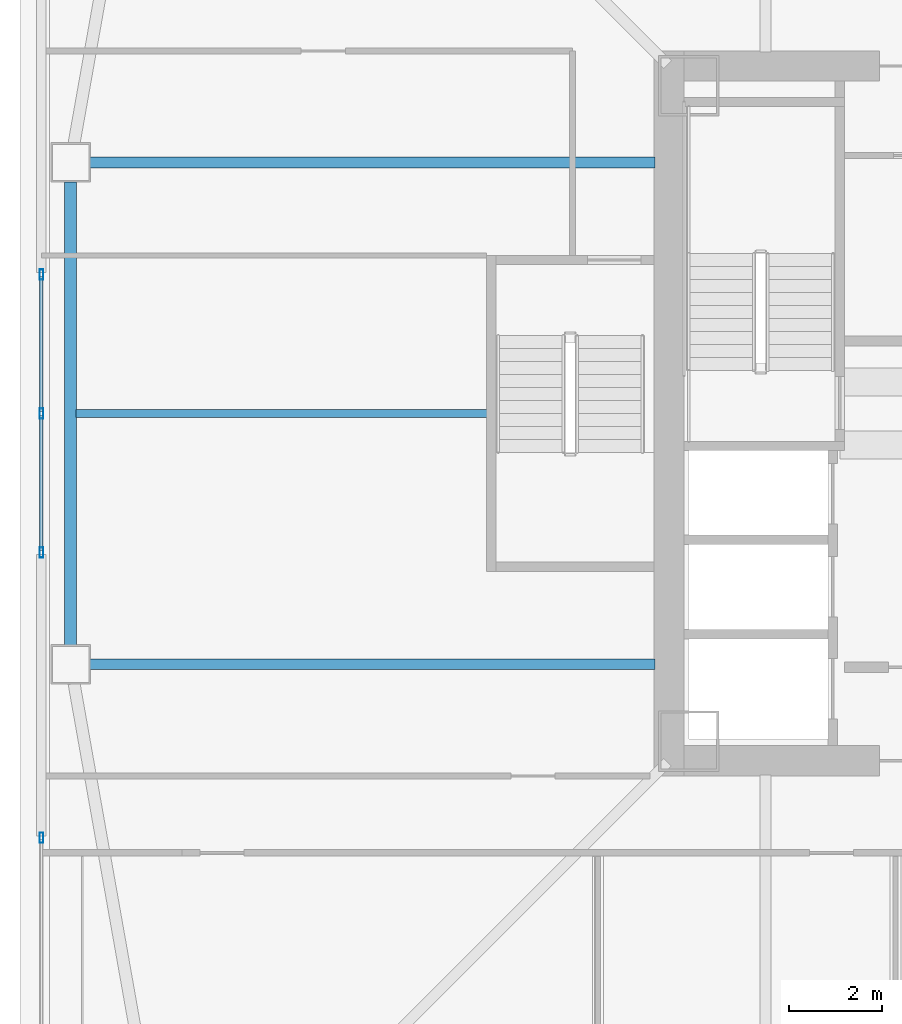
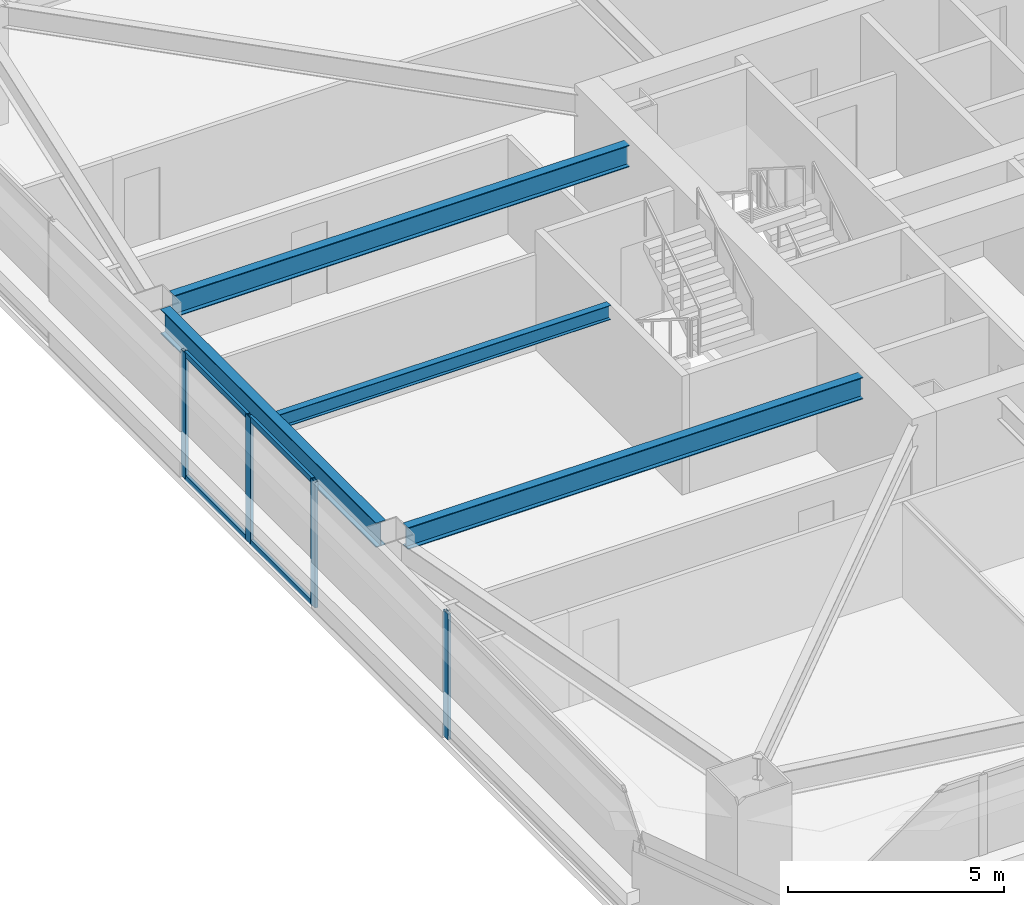
# One storey, part 6 of 44: 8 members, 4 beams, 2 elements without a shape of their own.
"""IFC4 building model written with IfcOpenShell, lengths in metres."""

import ifcopenshell
import ifcopenshell.guid

model = None  # the IFC model being written
_history = None  # IfcOwnerHistory: only IFC2X3 demands one
_inside = {}  # id of a spatial element -> (the spatial element, [elements in it])
_under = {}  # id of a project, library or spatial element -> (it, [spatial elements below it])
_declared = {}  # id of a project -> (the project, [libraries it declares])
_typed = {}  # id of a type object -> (the type object, [elements of that type])
_made_of = {}  # id of a material, layer set ... -> (it, [elements and type objects made of it])


def new_model(schema):
    """Start an empty IFC model of exactly this schema.

    Asked for "IFC4X3", IfcOpenShell would pick the latest addendum, in which some entities
    have other attributes; the version numbers below select the first issue.
    IFC2X3 requires an IfcOwnerHistory on every rooted entity: one is made here for all.
    """
    global model, _history
    if schema == "IFC4X3":
        model = ifcopenshell.file(schema_version=(4, 3, 0, 0))
    else:
        model = ifcopenshell.file(schema=schema)
    _inside.clear()
    _under.clear()
    _declared.clear()
    _typed.clear()
    _made_of.clear()
    _history = None
    if model.schema == "IFC2X3":
        org = make("IfcOrganization", Name="unknown")
        user = make(
            "IfcPersonAndOrganization",
            ThePerson=make("IfcPerson", FamilyName="unknown"),
            TheOrganization=org,
        )
        app = make(
            "IfcApplication",
            ApplicationDeveloper=org,
            Version="unknown",
            ApplicationFullName="unknown",
            ApplicationIdentifier="unknown",
        )
        _history = make(
            "IfcOwnerHistory",
            OwningUser=user,
            OwningApplication=app,
            ChangeAction="ADDED",
            CreationDate=0,
        )
    return model


def make(cls, **values):
    """One entity of the class cls with the attributes given. An attribute that is None is left unset."""
    return model.create_entity(
        cls, **{name: value for name, value in values.items() if value is not None}
    )


def rooted(cls, **values):
    """An entity with a GlobalId (a new one), such as an element, a storey or a relation."""
    return make(cls, GlobalId=ifcopenshell.guid.new(), OwnerHistory=_history, **values)


def si_unit(unit_type, name, prefix=None):
    """IfcSIUnit, for example si_unit("LENGTHUNIT", "METRE", prefix="MILLI")."""
    return make("IfcSIUnit", UnitType=unit_type, Prefix=prefix, Name=name)


def assignment(units):
    """IfcUnitAssignment: the units of a project."""
    return None if units is None else make("IfcUnitAssignment", Units=units)


def point(xyz):
    """IfcCartesianPoint."""
    return None if xyz is None else make("IfcCartesianPoint", Coordinates=xyz)


def direction(xyz):
    """IfcDirection."""
    return None if xyz is None else make("IfcDirection", DirectionRatios=xyz)


def frame(location, z_axis=None, x_axis=None):
    """IfcAxis2Placement3D, a coordinate frame: its origin and axes. An axis left out is left unset."""
    return make(
        "IfcAxis2Placement3D",
        Location=point(location),
        Axis=direction(z_axis),
        RefDirection=direction(x_axis),
    )


def frame_2d(location, x_axis=None):
    """IfcAxis2Placement2D, a coordinate frame in the plane: its origin and x axis."""
    return make(
        "IfcAxis2Placement2D", Location=point(location), RefDirection=direction(x_axis)
    )


def origin():
    """The frame at (0, 0, 0) with its axes left unset."""
    return frame((0.0, 0.0, 0.0))


def origin_2d():
    """The frame at (0, 0) in the plane with its x axis left unset."""
    return frame_2d((0.0, 0.0))


def place(relative_to, where):
    """IfcLocalPlacement: puts the frame where relative to a parent placement (None: the world)."""
    return make(
        "IfcLocalPlacement", PlacementRelTo=relative_to, RelativePlacement=where
    )


def context(
    kind, dimensions, precision=None, world=None, true_north=None, identifier=None
):
    """IfcGeometricRepresentationContext, for example the 3D "Model" context."""
    return make(
        "IfcGeometricRepresentationContext",
        ContextIdentifier=identifier,
        ContextType=kind,
        CoordinateSpaceDimension=dimensions,
        Precision=precision,
        WorldCoordinateSystem=world,
        TrueNorth=true_north,
    )


def subcontext(parent, identifier, kind, view, scale=None):
    """IfcGeometricRepresentationSubContext, for example "Body" below "Model"."""
    return make(
        "IfcGeometricRepresentationSubContext",
        ContextIdentifier=identifier,
        ContextType=kind,
        ParentContext=parent,
        TargetScale=scale,
        TargetView=view,
    )


def project(units=None, contexts=None):
    """IfcProject with its units and contexts."""
    return rooted(
        "IfcProject",
        Name="project",
        RepresentationContexts=contexts,
        UnitsInContext=assignment(units),
    )


def spatial(cls, under=None, at=None, **own):
    """A site, building, storey or space (cls), placed at a placement, below another one or the project."""
    s = rooted(cls, ObjectPlacement=at, **own)
    if under is not None:
        _under.setdefault(under.id(), (under, []))[1].append(s)
    return s


def profile(cls, at=None, kind="AREA", **sizes):
    """A parametric profile (cls). Its sizes go by their IFC names, for example OverallWidth=200.0."""
    return make(cls, ProfileType=kind, Position=at, **sizes)


def hollow_rectangle(**sizes):
    """IfcRectangleHollowProfileDef."""
    return profile("IfcRectangleHollowProfileDef", **sizes)


def i_section(**sizes):
    """IfcIShapeProfileDef."""
    return profile("IfcIShapeProfileDef", **sizes)


def extrude(swept, where, along, depth):
    """IfcExtrudedAreaSolid: the profile swept, set in the frame where, extruded along a direction by depth."""
    return make(
        "IfcExtrudedAreaSolid",
        SweptArea=swept,
        Position=where,
        ExtrudedDirection=direction(along),
        Depth=depth,
    )


def shape(context_of_items, identifier, shape_type, items):
    """IfcShapeRepresentation: the items that make up one representation, for example the "Body"."""
    return make(
        "IfcShapeRepresentation",
        ContextOfItems=context_of_items,
        RepresentationIdentifier=identifier,
        RepresentationType=shape_type,
        Items=items,
    )


def material(Name=None, Category=None):
    """IfcMaterial."""
    return make("IfcMaterial", Name=Name, Category=Category)


def material_profile(
    of_material, cross_section, Name=None, Category=None, Priority=None
):
    """IfcMaterialProfile: a cross section and its material."""
    return make(
        "IfcMaterialProfile",
        Name=Name,
        Material=of_material,
        Profile=cross_section,
        Priority=Priority,
        Category=Category,
    )


def profile_set(profiles, Name=None, composite=None):
    """IfcMaterialProfileSet."""
    return make(
        "IfcMaterialProfileSet",
        Name=Name,
        MaterialProfiles=profiles,
        CompositeProfile=composite,
    )


def made_of(thing, what):
    """Note that an element or type object is made of a material, layer set ...; save() writes the relation."""
    if what is not None:
        _made_of.setdefault(what.id(), (what, []))[1].append(thing)
    return thing


def type_object(cls, material=None, **own):
    """A type object (cls), such as IfcWallType, which elements share."""
    return made_of(rooted(cls, **own), material)


def element(
    cls,
    number,
    at=None,
    inside=None,
    cuts=None,
    type_object=None,
    material=None,
    context=None,
    identifier="Body",
    shape_type=None,
    held_by="IfcProductDefinitionShape",
    body=None,
    shapes=None,
    **own,
):
    """One element of the class cls, such as IfcWall. Its Tag is "e" and its number.

    at: its placement. inside: the storey or other place that contains it. cuts: it is an
    opening in that element (IfcRelVoidsElement). A single representation is given by context,
    identifier, shape_type and body (its items); several are given by shapes. held_by: the class
    of the entity that holds the representations. save() writes the other relations.
    """
    e = rooted(cls, Tag="e%d" % number, ObjectPlacement=at, **own)
    if body is not None:
        shapes = [shape(context, identifier, shape_type, body)]
    if shapes is not None:
        e.Representation = make(held_by, Representations=shapes)
    if inside is not None:
        _inside.setdefault(inside.id(), (inside, []))[1].append(e)
    if cuts is not None:
        rooted(
            "IfcRelVoidsElement", RelatingBuildingElement=cuts, RelatedOpeningElement=e
        )
    if type_object is not None:
        _typed.setdefault(type_object.id(), (type_object, []))[1].append(e)
    return made_of(e, material)


def aggregate(whole, parts):
    """IfcRelAggregates: a whole, such as a stair, and the parts it consists of."""
    return rooted("IfcRelAggregates", RelatingObject=whole, RelatedObjects=parts)


def save(model, path):
    """Write the relations noted so far, then the file.

    IfcRelAggregates (storeys below a building ...), IfcRelContainedInSpatialStructure (elements
    in a storey), IfcRelDefinesByType, IfcRelAssociatesMaterial and IfcRelDeclares: one each for
    every whole, place, type object, material and project.
    """
    for whole, parts in _under.values():
        aggregate(whole, parts)
    for where, things in _inside.values():
        rooted(
            "IfcRelContainedInSpatialStructure",
            RelatedElements=things,
            RelatingStructure=where,
        )
    for kind, things in _typed.values():
        rooted("IfcRelDefinesByType", RelatedObjects=things, RelatingType=kind)
    for what, things in _made_of.values():
        rooted("IfcRelAssociatesMaterial", RelatedObjects=things, RelatingMaterial=what)
    for by, libraries in _declared.values():
        rooted("IfcRelDeclares", RelatingContext=by, RelatedDefinitions=libraries)
    model.write(path)


model = new_model("IFC4")

# Units and contexts
model_context = context("Model", 3, precision=1e-05, world=origin(), true_north=direction((0.0, 1.0)))
body_context = subcontext(model_context, "Body", "Model", "MODEL_VIEW")
ifc_project = project(units=[si_unit("LENGTHUNIT", "METRE"), si_unit("AREAUNIT", "SQUARE_METRE"), si_unit("VOLUMEUNIT", "CUBIC_METRE"), si_unit("PLANEANGLEUNIT", "RADIAN"), si_unit("MASSUNIT", "GRAM", prefix="KILO")], contexts=[model_context])

# Site, building, storey
site_placement = place(None, origin())
site = spatial("IfcSite", under=ifc_project, at=site_placement, CompositionType="ELEMENT")
building_placement = place(site_placement, origin())
building = spatial("IfcBuilding", under=site, at=building_placement, Name="Tashvorn Skyway Center", CompositionType="ELEMENT")
storey_placement = place(building_placement, frame((0.0, 0.0, 92.050048828125)))
storey = spatial("IfcBuildingStorey", under=building, at=storey_placement, Name="L24", CompositionType="ELEMENT", Elevation=92.050048828125)

# Beams
ifc_material_1 = material(Name="Steel ASTM A992 Grade 50", Category="steel")
ifc_material_profile_1 = material_profile(ifc_material_1, i_section(OverallWidth=0.22998046875, OverallDepth=0.616943359375, WebThickness=0.01318359375, FlangeThickness=0.022216796875, at=origin_2d()), Name="W24X94")
ifc_profile_set_1 = profile_set([ifc_material_profile_1], Name="Steel ASTM A992 Grade 50")
beam_type_1 = type_object("IfcBeamType", Name="BM-BEAM-W24X94", PredefinedType="BEAM", material=ifc_profile_set_1)
for number, where, z_axis, x_axis, name in (
    (1, (22.070068359375, 37.39990234375, 3.04150390625), (1.0, 0.0, 0.0), (0.0, 1.0, 0.0), "Tower 1 L24 Primary Floor Girder FC-W1"),
    (2, (22.070068359375, 26.60009765625, 3.04150390625), (1.0, 0.0, 0.0), (0.0, 1.0, 0.0), "Tower 1 L24 Primary Floor Girder FC-W2"),
):
    element("IfcBeam", number, at=place(storey_placement, frame(where, z_axis=z_axis, x_axis=x_axis)), inside=storey, type_object=beam_type_1, Name=name, PredefinedType="BEAM", context=body_context, shape_type="SweptSolid", body=[
        extrude(i_section(OverallWidth=0.22998046875, OverallDepth=0.616943359375, WebThickness=0.01318359375, FlangeThickness=0.022216796875, at=origin_2d()), origin(), (0.0, 0.0, 1.0), 12.14990234375),
    ])
ifc_material_profile_2 = material_profile(ifc_material_1, i_section(OverallWidth=0.177978515625, OverallDepth=0.406005859375, WebThickness=0.0078125, FlangeThickness=0.0126953125, at=origin_2d()), Name="W16X40")
ifc_profile_set_2 = profile_set([ifc_material_profile_2], Name="Steel ASTM A992 Grade 50")
beam_type_2 = type_object("IfcBeamType", Name="BM-JOIST-W16X40", PredefinedType="JOIST", material=ifc_profile_set_2)
beam_1_placement = place(storey_placement, frame((30.610107421875, 32.0, 3.14697265625), z_axis=(-1.0, 0.0, 0.0), x_axis=(0.0, -1.0, 0.0)))
element("IfcBeam", 3, at=beam_1_placement, inside=storey, type_object=beam_type_2, Name="Tower 1 L24 Secondary Composite Joist JW", PredefinedType="JOIST", context=body_context, shape_type="SweptSolid", body=[
    extrude(i_section(OverallWidth=0.177978515625, OverallDepth=0.406005859375, WebThickness=0.0078125, FlangeThickness=0.0126953125, at=origin_2d()), origin(), (0.0, 0.0, 1.0), 8.840087890625),
])
ifc_material_profile_3 = material_profile(ifc_material_1, i_section(OverallWidth=0.256103515625, OverallDepth=0.693115234375, WebThickness=0.014404296875, FlangeThickness=0.023681640625, at=origin_2d()), Name="W27X114")
ifc_profile_set_3 = profile_set([ifc_material_profile_3], Name="Steel ASTM A992 Grade 50")
beam_type_3 = type_object("IfcBeamType", Name="BM-SPANDREL-W27X114", PredefinedType="SPANDREL", material=ifc_profile_set_3)
beam_2_placement = place(storey_placement, frame((21.64990234375, 36.97998046875, 3.00341796875), z_axis=(0.0, -1.0, 0.0), x_axis=(1.0, 0.0, 0.0)))
element("IfcBeam", 4, at=beam_2_placement, inside=storey, type_object=beam_type_3, Name="Tower 1 L24 Spandrel Beam 11", PredefinedType="SPANDREL", context=body_context, shape_type="SweptSolid", body=[
    extrude(i_section(OverallWidth=0.256103515625, OverallDepth=0.693115234375, WebThickness=0.014404296875, FlangeThickness=0.023681640625, at=origin_2d()), origin(), (0.0, 0.0, 1.0), 9.9599609375),
])

# Curtain wall, member
ifc_material_2 = material(Name="Thermally broken bronze-anodized aluminium 6063-T6", Category="aluminium")
curtain_wall_type = type_object("IfcCurtainWallType", Name="CW-CW-Z2", PredefinedType="NOTDEFINED", material=ifc_material_2)
curtain_wall_1_placement = place(storey_placement, origin())
curtain_wall_1 = element("IfcCurtainWall", 5, at=curtain_wall_1_placement, inside=storey, type_object=curtain_wall_type, Name="Tower 1 L24 West Unitised Curtain Wall Glazing Group 1", PredefinedType="NOTDEFINED")
ifc_material_profile_4 = material_profile(ifc_material_2, hollow_rectangle(XDim=0.080078125, YDim=0.219970703125, WallThickness=0.0048828125, at=origin_2d()), Name="ALU-MULL-80x220")
ifc_profile_set_4 = profile_set([ifc_material_profile_4], Name="Thermally broken bronze-anodized aluminium 6063-T6")
member_type_1 = type_object("IfcMemberType", Name="CWM-CW-Z2", PredefinedType="MULLION", material=ifc_profile_set_4)
member_1_placement = place(storey_placement, frame((21.02001953125, 22.8701171875, 0.0), z_axis=(0.0, 0.0, 1.0), x_axis=(-1.0, 0.0, 0.0)))
member_1 = element("IfcMember", 6, at=member_1_placement, type_object=member_type_1, Name="CW-Z2 mullion 2", PredefinedType="MULLION", context=body_context, shape_type="SweptSolid", body=[
    extrude(hollow_rectangle(XDim=0.080078125, YDim=0.219970703125, WallThickness=0.0048828125, at=origin_2d()), origin(), (0.0, 0.0, 1.0), 3.550048828125),
])
aggregate(curtain_wall_1, [member_1])

# Curtain wall, members
curtain_wall_2_placement = place(storey_placement, origin())
curtain_wall_2 = element("IfcCurtainWall", 7, at=curtain_wall_2_placement, inside=storey, type_object=curtain_wall_type, Name="Tower 1 L24 West Unitised Curtain Wall Glazing Group 2", PredefinedType="NOTDEFINED")
member_2_placement = place(storey_placement, frame((21.02001953125, 29.010009765625, 0.0), z_axis=(0.0, 0.0, 1.0), x_axis=(-1.0, 0.0, 0.0)))
member_2 = element("IfcMember", 8, at=member_2_placement, type_object=member_type_1, Name="CW-Z2 mullion 1", PredefinedType="MULLION", context=body_context, shape_type="SweptSolid", body=[
    extrude(hollow_rectangle(XDim=0.080078125, YDim=0.219970703125, WallThickness=0.0048828125, at=origin_2d()), origin(), (0.0, 0.0, 1.0), 3.550048828125),
])
member_3_placement = place(storey_placement, frame((21.02001953125, 32.0, 0.0), z_axis=(0.0, 0.0, 1.0), x_axis=(-1.0, 0.0, 0.0)))
member_3 = element("IfcMember", 9, at=member_3_placement, type_object=member_type_1, Name="CW-Z2 mullion 2", PredefinedType="MULLION", context=body_context, shape_type="SweptSolid", body=[
    extrude(hollow_rectangle(XDim=0.080078125, YDim=0.219970703125, WallThickness=0.0048828125, at=origin_2d()), origin(), (0.0, 0.0, 1.0), 3.550048828125),
])
member_4_placement = place(storey_placement, frame((21.02001953125, 34.989990234375, 0.0), z_axis=(0.0, 0.0, 1.0), x_axis=(-1.0, 0.0, 0.0)))
member_4 = element("IfcMember", 10, at=member_4_placement, type_object=member_type_1, Name="CW-Z2 mullion 3", PredefinedType="MULLION", context=body_context, shape_type="SweptSolid", body=[
    extrude(hollow_rectangle(XDim=0.080078125, YDim=0.219970703125, WallThickness=0.0048828125, at=origin_2d()), origin(), (0.0, 0.0, 1.0), 3.550048828125),
])
ifc_material_profile_5 = material_profile(ifc_material_2, hollow_rectangle(XDim=0.080078125, YDim=0.14990234375, WallThickness=0.00439453125, at=origin_2d()), Name="ALU-TRAN-80x150")
ifc_profile_set_5 = profile_set([ifc_material_profile_5], Name="Thermally broken bronze-anodized aluminium 6063-T6")
member_type_2 = type_object("IfcMemberType", Name="CWT-CW-Z2", PredefinedType="USERDEFINED", material=ifc_profile_set_5)
member_5_placement = place(storey_placement, frame((21.02001953125, 29.050048828125, 0.0400390625), z_axis=(0.0, 1.0, 0.0), x_axis=(-1.0, 0.0, 0.0)))
member_5 = element("IfcMember", 11, at=member_5_placement, type_object=member_type_2, Name="CW-Z2 transom 1.1", ObjectType="TRANSOM", PredefinedType="USERDEFINED", context=body_context, shape_type="SweptSolid", body=[
    extrude(hollow_rectangle(XDim=0.080078125, YDim=0.14990234375, WallThickness=0.00439453125, at=origin_2d()), origin(), (0.0, 0.0, 1.0), 2.909912109375),
])
member_6_placement = place(storey_placement, frame((21.02001953125, 29.050048828125, 3.510009765625), z_axis=(0.0, 1.0, 0.0), x_axis=(-1.0, 0.0, 0.0)))
member_6 = element("IfcMember", 12, at=member_6_placement, type_object=member_type_2, Name="CW-Z2 transom 1.2", ObjectType="TRANSOM", PredefinedType="USERDEFINED", context=body_context, shape_type="SweptSolid", body=[
    extrude(hollow_rectangle(XDim=0.080078125, YDim=0.14990234375, WallThickness=0.00439453125, at=origin_2d()), origin(), (0.0, 0.0, 1.0), 2.909912109375),
])
member_7_placement = place(storey_placement, frame((21.02001953125, 32.0400390625, 0.0400390625), z_axis=(0.0, 1.0, 0.0), x_axis=(-1.0, 0.0, 0.0)))
member_7 = element("IfcMember", 13, at=member_7_placement, type_object=member_type_2, Name="CW-Z2 transom 2.1", ObjectType="TRANSOM", PredefinedType="USERDEFINED", context=body_context, shape_type="SweptSolid", body=[
    extrude(hollow_rectangle(XDim=0.080078125, YDim=0.14990234375, WallThickness=0.00439453125, at=origin_2d()), origin(), (0.0, 0.0, 1.0), 2.909912109375),
])
member_8_placement = place(storey_placement, frame((21.02001953125, 32.0400390625, 3.510009765625), z_axis=(0.0, 1.0, 0.0), x_axis=(-1.0, 0.0, 0.0)))
member_8 = element("IfcMember", 14, at=member_8_placement, type_object=member_type_2, Name="CW-Z2 transom 2.2", ObjectType="TRANSOM", PredefinedType="USERDEFINED", context=body_context, shape_type="SweptSolid", body=[
    extrude(hollow_rectangle(XDim=0.080078125, YDim=0.14990234375, WallThickness=0.00439453125, at=origin_2d()), origin(), (0.0, 0.0, 1.0), 2.909912109375),
])
aggregate(curtain_wall_2, [member_2, member_3, member_4, member_5, member_6, member_7, member_8])

save(model, "model.ifc")
